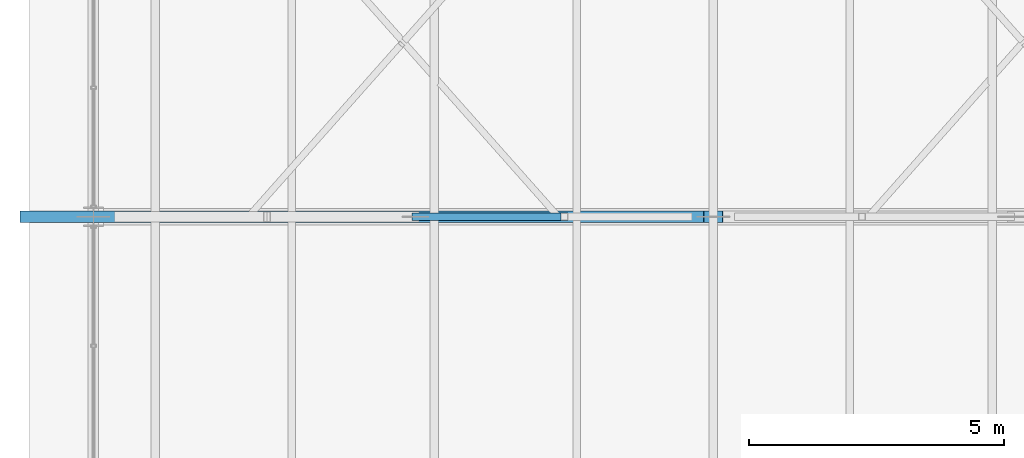
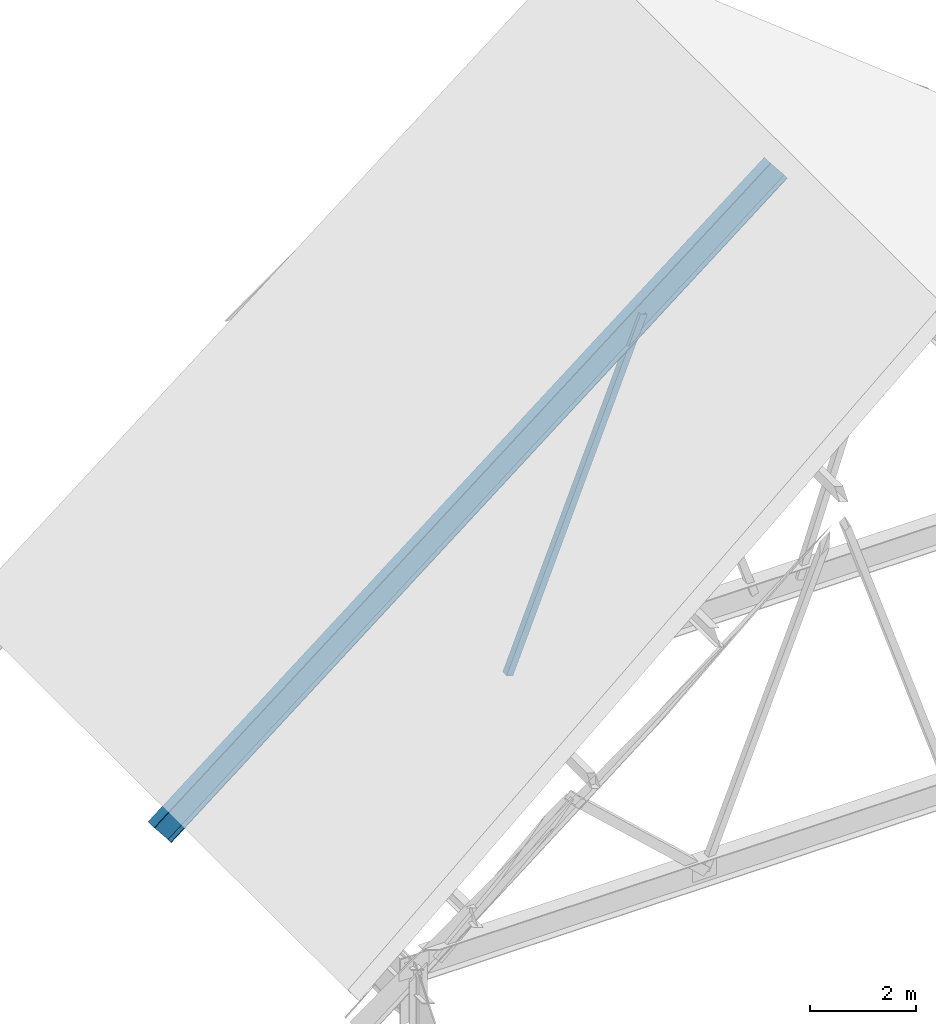
# One storey, part 33 of 44: 1 beam, 1 member.
"""IFC4 building model written with IfcOpenShell, lengths in metres."""

from ifc_helpers import new_model, si_unit, direction, frame, origin, origin_2d, place, context, subcontext, project, spatial, hollow_rectangle, i_section, extrude, material, material_profile, profile_set, type_object, element, save


model = new_model("IFC4")

# Units and contexts
model_context = context("Model", 3, precision=1e-05, world=origin(), true_north=direction((0.0, 1.0)))
body_context = subcontext(model_context, "Body", "Model", "MODEL_VIEW")
ifc_project = project(units=[si_unit("LENGTHUNIT", "METRE"), si_unit("AREAUNIT", "SQUARE_METRE"), si_unit("VOLUMEUNIT", "CUBIC_METRE"), si_unit("PLANEANGLEUNIT", "RADIAN"), si_unit("MASSUNIT", "GRAM", prefix="KILO")], contexts=[model_context])

# Site, building, storey
site_placement = place(None, origin())
site = spatial("IfcSite", under=ifc_project, at=site_placement, CompositionType="ELEMENT")
building_placement = place(site_placement, origin())
building = spatial("IfcBuilding", under=site, at=building_placement, Name="Cimatlan Art Gallery", CompositionType="ELEMENT")
storey_placement = place(building_placement, frame((0.0, 0.0, 26.39990234375)))
storey = spatial("IfcBuildingStorey", under=building, at=storey_placement, Name="Roof", CompositionType="ELEMENT", Elevation=26.39990234375)

# Beam
ifc_material_1 = material(Name="Steel ASTM A992 Grade 50", Category="steel")
ifc_material_profile_1 = material_profile(ifc_material_1, i_section(OverallWidth=0.22802734375, OverallDepth=0.60791015625, WebThickness=0.01123046875, FlangeThickness=0.017333984375, at=origin_2d()), Name="W24X76")
ifc_profile_set_1 = profile_set([ifc_material_profile_1], Name="Steel ASTM A992 Grade 50")
beam_type = type_object("IfcBeamType", Name="BM-TRS-RAF", PredefinedType="BEAM", material=ifc_profile_set_1)
beam_placement = place(storey_placement, frame((73.64990234375, 75.699951171875, 0.412353515625), z_axis=(0.78463826569, 0.0, 0.619953862812), x_axis=(0.0, 1.0, 0.0)))
element("IfcBeam", 1, at=beam_placement, inside=storey, type_object=beam_type, Name="TRS-08-RAF-W", PredefinedType="BEAM", context=body_context, shape_type="SweptSolid", body=[
    extrude(i_section(OverallWidth=0.22802734375, OverallDepth=0.60791015625, WebThickness=0.01123046875, FlangeThickness=0.017333984375, at=origin_2d()), origin(), (0.0, 0.0, 1.0), 17.078125),
])

# Member
ifc_material_2 = material(Name="Steel ASTM A500 Grade C", Category="steel")
ifc_material_profile_2 = material_profile(ifc_material_2, hollow_rectangle(XDim=0.14990234375, YDim=0.14990234375, WallThickness=0.008056640625, at=origin_2d()), Name="HSS150X150X8")
ifc_profile_set_2 = profile_set([ifc_material_profile_2], Name="Steel ASTM A500 Grade C")
member_type = type_object("IfcMemberType", Name="MBR-TRS-DIAG-2", PredefinedType="BRACE", material=ifc_profile_set_2)
member_placement = place(storey_placement, frame((81.218017578125, 75.699951171875, 1.400146484375), z_axis=(0.371133507913, 0.0, 0.928579516953), x_axis=(0.0, 1.0, 0.0)))
element("IfcMember", 2, at=member_placement, inside=storey, type_object=member_type, Name="TRS-08-DW-3", PredefinedType="BRACE", context=body_context, shape_type="SweptSolid", body=[
    extrude(hollow_rectangle(XDim=0.14990234375, YDim=0.14990234375, WallThickness=0.008056640625, at=origin_2d()), origin(), (0.0, 0.0, 1.0), 7.85693359375),
])

save(model, "model.ifc")
